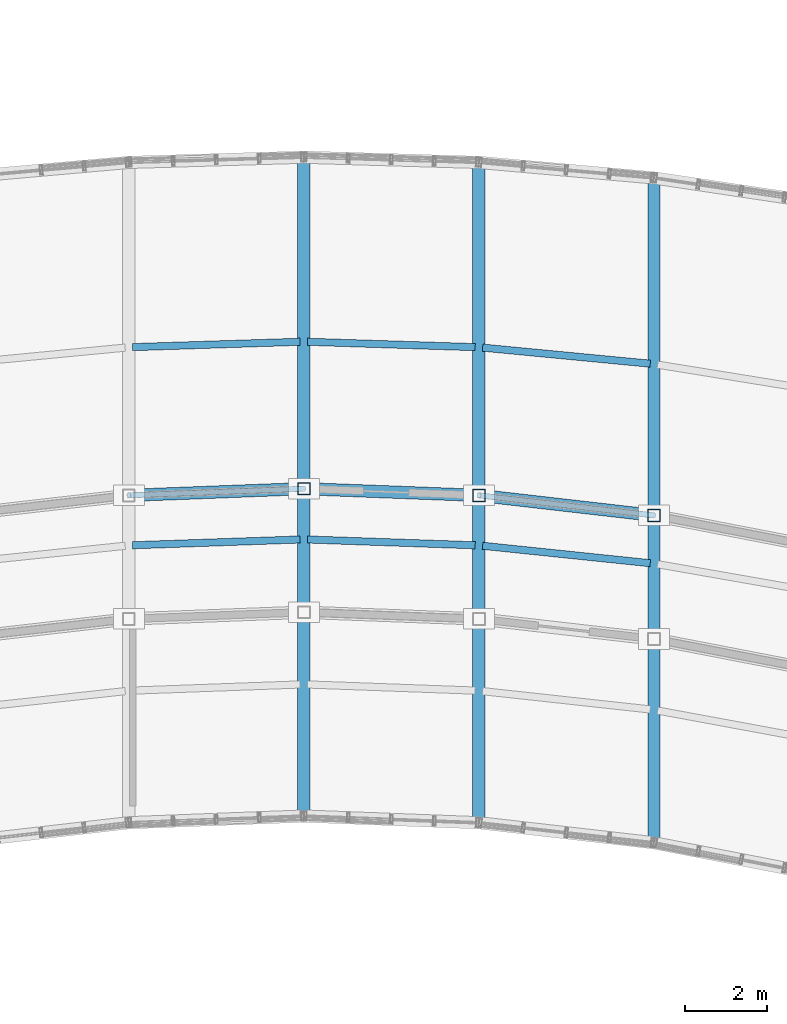
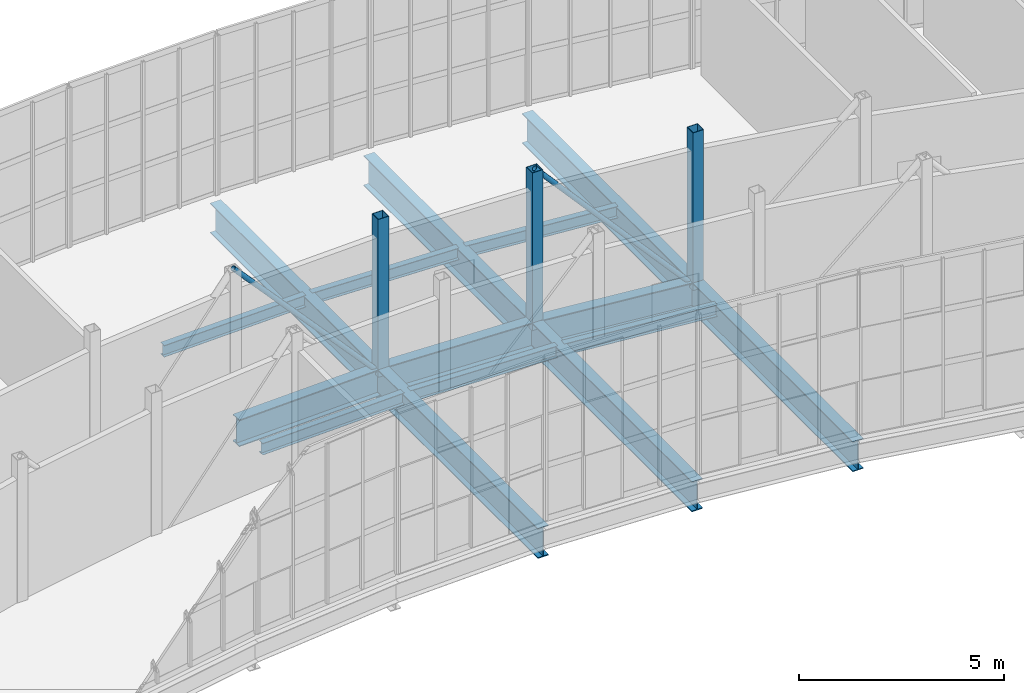
# One storey, part 26 of 66: 12 beams, 5 members.
"""IFC4 building model written with IfcOpenShell, lengths in metres."""

import ifcopenshell
import ifcopenshell.guid

model = None  # the IFC model being written
_history = None  # IfcOwnerHistory: only IFC2X3 demands one
_inside = {}  # id of a spatial element -> (the spatial element, [elements in it])
_under = {}  # id of a project, library or spatial element -> (it, [spatial elements below it])
_declared = {}  # id of a project -> (the project, [libraries it declares])
_typed = {}  # id of a type object -> (the type object, [elements of that type])
_made_of = {}  # id of a material, layer set ... -> (it, [elements and type objects made of it])


def new_model(schema):
    """Start an empty IFC model of exactly this schema.

    Asked for "IFC4X3", IfcOpenShell would pick the latest addendum, in which some entities
    have other attributes; the version numbers below select the first issue.
    IFC2X3 requires an IfcOwnerHistory on every rooted entity: one is made here for all.
    """
    global model, _history
    if schema == "IFC4X3":
        model = ifcopenshell.file(schema_version=(4, 3, 0, 0))
    else:
        model = ifcopenshell.file(schema=schema)
    _inside.clear()
    _under.clear()
    _declared.clear()
    _typed.clear()
    _made_of.clear()
    _history = None
    if model.schema == "IFC2X3":
        org = make("IfcOrganization", Name="unknown")
        user = make(
            "IfcPersonAndOrganization",
            ThePerson=make("IfcPerson", FamilyName="unknown"),
            TheOrganization=org,
        )
        app = make(
            "IfcApplication",
            ApplicationDeveloper=org,
            Version="unknown",
            ApplicationFullName="unknown",
            ApplicationIdentifier="unknown",
        )
        _history = make(
            "IfcOwnerHistory",
            OwningUser=user,
            OwningApplication=app,
            ChangeAction="ADDED",
            CreationDate=0,
        )
    return model


def make(cls, **values):
    """One entity of the class cls with the attributes given. An attribute that is None is left unset."""
    return model.create_entity(
        cls, **{name: value for name, value in values.items() if value is not None}
    )


def rooted(cls, **values):
    """An entity with a GlobalId (a new one), such as an element, a storey or a relation."""
    return make(cls, GlobalId=ifcopenshell.guid.new(), OwnerHistory=_history, **values)


def si_unit(unit_type, name, prefix=None):
    """IfcSIUnit, for example si_unit("LENGTHUNIT", "METRE", prefix="MILLI")."""
    return make("IfcSIUnit", UnitType=unit_type, Prefix=prefix, Name=name)


def assignment(units):
    """IfcUnitAssignment: the units of a project."""
    return None if units is None else make("IfcUnitAssignment", Units=units)


def point(xyz):
    """IfcCartesianPoint."""
    return None if xyz is None else make("IfcCartesianPoint", Coordinates=xyz)


def direction(xyz):
    """IfcDirection."""
    return None if xyz is None else make("IfcDirection", DirectionRatios=xyz)


def frame(location, z_axis=None, x_axis=None):
    """IfcAxis2Placement3D, a coordinate frame: its origin and axes. An axis left out is left unset."""
    return make(
        "IfcAxis2Placement3D",
        Location=point(location),
        Axis=direction(z_axis),
        RefDirection=direction(x_axis),
    )


def frame_2d(location, x_axis=None):
    """IfcAxis2Placement2D, a coordinate frame in the plane: its origin and x axis."""
    return make(
        "IfcAxis2Placement2D", Location=point(location), RefDirection=direction(x_axis)
    )


def origin():
    """The frame at (0, 0, 0) with its axes left unset."""
    return frame((0.0, 0.0, 0.0))


def origin_2d():
    """The frame at (0, 0) in the plane with its x axis left unset."""
    return frame_2d((0.0, 0.0))


def place(relative_to, where):
    """IfcLocalPlacement: puts the frame where relative to a parent placement (None: the world)."""
    return make(
        "IfcLocalPlacement", PlacementRelTo=relative_to, RelativePlacement=where
    )


def context(
    kind, dimensions, precision=None, world=None, true_north=None, identifier=None
):
    """IfcGeometricRepresentationContext, for example the 3D "Model" context."""
    return make(
        "IfcGeometricRepresentationContext",
        ContextIdentifier=identifier,
        ContextType=kind,
        CoordinateSpaceDimension=dimensions,
        Precision=precision,
        WorldCoordinateSystem=world,
        TrueNorth=true_north,
    )


def subcontext(parent, identifier, kind, view, scale=None):
    """IfcGeometricRepresentationSubContext, for example "Body" below "Model"."""
    return make(
        "IfcGeometricRepresentationSubContext",
        ContextIdentifier=identifier,
        ContextType=kind,
        ParentContext=parent,
        TargetScale=scale,
        TargetView=view,
    )


def project(units=None, contexts=None):
    """IfcProject with its units and contexts."""
    return rooted(
        "IfcProject",
        Name="project",
        RepresentationContexts=contexts,
        UnitsInContext=assignment(units),
    )


def spatial(cls, under=None, at=None, **own):
    """A site, building, storey or space (cls), placed at a placement, below another one or the project."""
    s = rooted(cls, ObjectPlacement=at, **own)
    if under is not None:
        _under.setdefault(under.id(), (under, []))[1].append(s)
    return s


def profile(cls, at=None, kind="AREA", **sizes):
    """A parametric profile (cls). Its sizes go by their IFC names, for example OverallWidth=200.0."""
    return make(cls, ProfileType=kind, Position=at, **sizes)


def hollow_rectangle(**sizes):
    """IfcRectangleHollowProfileDef."""
    return profile("IfcRectangleHollowProfileDef", **sizes)


def hollow_circle(**sizes):
    """IfcCircleHollowProfileDef."""
    return profile("IfcCircleHollowProfileDef", **sizes)


def i_section(**sizes):
    """IfcIShapeProfileDef."""
    return profile("IfcIShapeProfileDef", **sizes)


def extrude(swept, where, along, depth):
    """IfcExtrudedAreaSolid: the profile swept, set in the frame where, extruded along a direction by depth."""
    return make(
        "IfcExtrudedAreaSolid",
        SweptArea=swept,
        Position=where,
        ExtrudedDirection=direction(along),
        Depth=depth,
    )


def shape(context_of_items, identifier, shape_type, items):
    """IfcShapeRepresentation: the items that make up one representation, for example the "Body"."""
    return make(
        "IfcShapeRepresentation",
        ContextOfItems=context_of_items,
        RepresentationIdentifier=identifier,
        RepresentationType=shape_type,
        Items=items,
    )


def material(Name=None, Category=None):
    """IfcMaterial."""
    return make("IfcMaterial", Name=Name, Category=Category)


def material_profile(
    of_material, cross_section, Name=None, Category=None, Priority=None
):
    """IfcMaterialProfile: a cross section and its material."""
    return make(
        "IfcMaterialProfile",
        Name=Name,
        Material=of_material,
        Profile=cross_section,
        Priority=Priority,
        Category=Category,
    )


def profile_set(profiles, Name=None, composite=None):
    """IfcMaterialProfileSet."""
    return make(
        "IfcMaterialProfileSet",
        Name=Name,
        MaterialProfiles=profiles,
        CompositeProfile=composite,
    )


def made_of(thing, what):
    """Note that an element or type object is made of a material, layer set ...; save() writes the relation."""
    if what is not None:
        _made_of.setdefault(what.id(), (what, []))[1].append(thing)
    return thing


def type_object(cls, material=None, **own):
    """A type object (cls), such as IfcWallType, which elements share."""
    return made_of(rooted(cls, **own), material)


def element(
    cls,
    number,
    at=None,
    inside=None,
    cuts=None,
    type_object=None,
    material=None,
    context=None,
    identifier="Body",
    shape_type=None,
    held_by="IfcProductDefinitionShape",
    body=None,
    shapes=None,
    **own,
):
    """One element of the class cls, such as IfcWall. Its Tag is "e" and its number.

    at: its placement. inside: the storey or other place that contains it. cuts: it is an
    opening in that element (IfcRelVoidsElement). A single representation is given by context,
    identifier, shape_type and body (its items); several are given by shapes. held_by: the class
    of the entity that holds the representations. save() writes the other relations.
    """
    e = rooted(cls, Tag="e%d" % number, ObjectPlacement=at, **own)
    if body is not None:
        shapes = [shape(context, identifier, shape_type, body)]
    if shapes is not None:
        e.Representation = make(held_by, Representations=shapes)
    if inside is not None:
        _inside.setdefault(inside.id(), (inside, []))[1].append(e)
    if cuts is not None:
        rooted(
            "IfcRelVoidsElement", RelatingBuildingElement=cuts, RelatedOpeningElement=e
        )
    if type_object is not None:
        _typed.setdefault(type_object.id(), (type_object, []))[1].append(e)
    return made_of(e, material)


def aggregate(whole, parts):
    """IfcRelAggregates: a whole, such as a stair, and the parts it consists of."""
    return rooted("IfcRelAggregates", RelatingObject=whole, RelatedObjects=parts)


def save(model, path):
    """Write the relations noted so far, then the file.

    IfcRelAggregates (storeys below a building ...), IfcRelContainedInSpatialStructure (elements
    in a storey), IfcRelDefinesByType, IfcRelAssociatesMaterial and IfcRelDeclares: one each for
    every whole, place, type object, material and project.
    """
    for whole, parts in _under.values():
        aggregate(whole, parts)
    for where, things in _inside.values():
        rooted(
            "IfcRelContainedInSpatialStructure",
            RelatedElements=things,
            RelatingStructure=where,
        )
    for kind, things in _typed.values():
        rooted("IfcRelDefinesByType", RelatedObjects=things, RelatingType=kind)
    for what, things in _made_of.values():
        rooted("IfcRelAssociatesMaterial", RelatedObjects=things, RelatingMaterial=what)
    for by, libraries in _declared.values():
        rooted("IfcRelDeclares", RelatingContext=by, RelatedDefinitions=libraries)
    model.write(path)


model = new_model("IFC4")

# Units and contexts
model_context = context("Model", 3, precision=1e-05, world=origin(), true_north=direction((0.0, 1.0)))
body_context = subcontext(model_context, "Body", "Model", "MODEL_VIEW")
ifc_project = project(units=[si_unit("LENGTHUNIT", "METRE"), si_unit("AREAUNIT", "SQUARE_METRE"), si_unit("VOLUMEUNIT", "CUBIC_METRE"), si_unit("PLANEANGLEUNIT", "RADIAN"), si_unit("MASSUNIT", "GRAM", prefix="KILO")], contexts=[model_context])

# Site, building, storey
site_placement = place(None, origin())
site = spatial("IfcSite", under=ifc_project, at=site_placement, CompositionType="ELEMENT")
building_placement = place(site_placement, origin())
building = spatial("IfcBuilding", under=site, at=building_placement, Name="Solvikara Media Centre", CompositionType="ELEMENT")
storey_placement = place(building_placement, frame((0.0, 0.0, 19.800048828125)))
storey = spatial("IfcBuildingStorey", under=building, at=storey_placement, Name="L04", CompositionType="ELEMENT", Elevation=19.800048828125)

# Beams
ifc_material = material(Name="Steel S355JR", Category="steel")
ifc_material_profile_1 = material_profile(ifc_material, i_section(OverallWidth=0.300048828125, OverallDepth=0.89990234375, WebThickness=0.01611328125, FlangeThickness=0.028076171875, at=origin_2d()), Name="WF 900x300x16x28")
ifc_profile_set_1 = profile_set([ifc_material_profile_1], Name="Steel S355JR")
beam_type_1 = type_object("IfcBeamType", Name="BM-15", PredefinedType="BEAM", material=ifc_profile_set_1)
beam_1_placement = place(storey_placement, frame((102.0, 25.467041015625, -0.672119140625), z_axis=(0.0, 1.0, 0.0), x_axis=(-1.0, 0.0, 0.0)))
element("IfcBeam", 1, at=beam_1_placement, inside=storey, type_object=beam_type_1, Name="BG-L04-NS-06", PredefinedType="BEAM", context=body_context, shape_type="SweptSolid", body=[
    extrude(i_section(OverallWidth=0.300048828125, OverallDepth=0.89990234375, WebThickness=0.01611328125, FlangeThickness=0.028076171875, at=origin_2d()), origin(), (0.0, 0.0, 1.0), 16.0),
])
beam_2_placement = place(storey_placement, frame((106.25, 25.304931640625, -0.672119140625), z_axis=(0.0, 1.0, 0.0), x_axis=(-1.0, 0.0, 0.0)))
element("IfcBeam", 2, at=beam_2_placement, inside=storey, type_object=beam_type_1, Name="BG-L04-NS-07", PredefinedType="BEAM", context=body_context, shape_type="SweptSolid", body=[
    extrude(i_section(OverallWidth=0.300048828125, OverallDepth=0.89990234375, WebThickness=0.01611328125, FlangeThickness=0.028076171875, at=origin_2d()), origin(), (0.0, 0.0, 1.0), 16.0361328125),
])
beam_3_placement = place(storey_placement, frame((110.5, 24.818115234375, -0.672119140625), z_axis=(0.0, 1.0, 0.0), x_axis=(-1.0, 0.0, 0.0)))
element("IfcBeam", 3, at=beam_3_placement, inside=storey, type_object=beam_type_1, Name="BG-L04-NS-08", PredefinedType="BEAM", context=body_context, shape_type="SweptSolid", body=[
    extrude(i_section(OverallWidth=0.300048828125, OverallDepth=0.89990234375, WebThickness=0.01611328125, FlangeThickness=0.028076171875, at=origin_2d()), origin(), (0.0, 0.0, 1.0), 16.14599609375),
])
ifc_material_profile_2 = material_profile(ifc_material, i_section(OverallWidth=0.300048828125, OverallDepth=0.800048828125, WebThickness=0.013916015625, FlangeThickness=0.02587890625, at=origin_2d()), Name="WF 800x300x14x26")
ifc_profile_set_2 = profile_set([ifc_material_profile_2], Name="Steel S355JR")
beam_type_2 = type_object("IfcBeamType", Name="BM-16", PredefinedType="BEAM", material=ifc_profile_set_2)
for number, where, z_axis, x_axis, name in (
    (4, (97.840087890625, 33.258056640625, -0.6220703125), (0.999266124753, 0.038304202383, 0.0), (-0.038304202383, 0.999266124753, 0.0), "B-L04-SPNN-05"),
    (5, (102.090087890625, 33.4140625, -0.6220703125), (0.999266124753, -0.038304202383, 0.0), (0.038304202383, 0.999266124753, 0.0), "B-L04-SPNN-06"),
):
    element("IfcBeam", number, at=place(storey_placement, frame(where, z_axis=z_axis, x_axis=x_axis)), inside=storey, type_object=beam_type_2, Name=name, PredefinedType="BEAM", context=body_context, shape_type="SweptSolid", body=[
        extrude(i_section(OverallWidth=0.300048828125, OverallDepth=0.800048828125, WebThickness=0.013916015625, FlangeThickness=0.02587890625, at=origin_2d()), origin(), (0.0, 0.0, 1.0), 4.07275390625),
    ])
beam_4_placement = place(storey_placement, frame((106.339111328125, 33.2451171875, -0.6220703125), z_axis=(0.993485932274, -0.113954826025, 0.0), x_axis=(0.113954826025, 0.993485932274, 0.0)))
element("IfcBeam", 6, at=beam_4_placement, inside=storey, type_object=beam_type_2, Name="B-L04-SPNN-07", PredefinedType="BEAM", context=body_context, shape_type="SweptSolid", body=[
    extrude(i_section(OverallWidth=0.300048828125, OverallDepth=0.800048828125, WebThickness=0.013916015625, FlangeThickness=0.02587890625, at=origin_2d()), origin(), (0.0, 0.0, 1.0), 4.098388671875),
])
ifc_material_profile_3 = material_profile(ifc_material, i_section(OverallWidth=0.175048828125, OverallDepth=0.35009765625, WebThickness=0.007080078125, FlangeThickness=0.010986328125, at=origin_2d()), Name="WF 350x175x7x11")
ifc_profile_set_3 = profile_set([ifc_material_profile_3], Name="Steel S355JR")
beam_type_3 = type_object("IfcBeamType", Name="BM-22", PredefinedType="JOIST", material=ifc_profile_set_3)
beam_5_placement = place(storey_placement, frame((97.840087890625, 32.04296875, -0.39697265625), z_axis=(0.999399430727, 0.034652241809, 0.0), x_axis=(-0.034652241809, 0.999399430727, 0.0)))
element("IfcBeam", 7, at=beam_5_placement, inside=storey, type_object=beam_type_3, Name="BJ-L04-05-42", PredefinedType="JOIST", context=body_context, shape_type="SweptSolid", body=[
    extrude(i_section(OverallWidth=0.175048828125, OverallDepth=0.35009765625, WebThickness=0.007080078125, FlangeThickness=0.010986328125, at=origin_2d()), origin(), (0.0, 0.0, 1.0), 4.072265625),
])
beam_6_placement = place(storey_placement, frame((97.840087890625, 36.85400390625, -0.39697265625), z_axis=(0.999491149174, 0.031897378006, 0.0), x_axis=(-0.031897378006, 0.999491149174, 0.0)))
element("IfcBeam", 8, at=beam_6_placement, inside=storey, type_object=beam_type_3, Name="BJ-L04-05-72", PredefinedType="JOIST", context=body_context, shape_type="SweptSolid", body=[
    extrude(i_section(OverallWidth=0.175048828125, OverallDepth=0.35009765625, WebThickness=0.007080078125, FlangeThickness=0.010986328125, at=origin_2d()), origin(), (0.0, 0.0, 1.0), 4.07177734375),
])
beam_7_placement = place(storey_placement, frame((102.090087890625, 32.18408203125, -0.39697265625), z_axis=(0.999399430727, -0.034652241809, 0.0), x_axis=(0.034652241809, 0.999399430727, 0.0)))
element("IfcBeam", 9, at=beam_7_placement, inside=storey, type_object=beam_type_3, Name="BJ-L04-06-42", PredefinedType="JOIST", context=body_context, shape_type="SweptSolid", body=[
    extrude(i_section(OverallWidth=0.175048828125, OverallDepth=0.35009765625, WebThickness=0.007080078125, FlangeThickness=0.010986328125, at=origin_2d()), origin(), (0.0, 0.0, 1.0), 4.072265625),
])
beam_8_placement = place(storey_placement, frame((102.090087890625, 36.98388671875, -0.39697265625), z_axis=(0.999491149174, -0.031897378006, 0.0), x_axis=(0.031897378006, 0.999491149174, 0.0)))
element("IfcBeam", 10, at=beam_8_placement, inside=storey, type_object=beam_type_3, Name="BJ-L04-06-72", PredefinedType="JOIST", context=body_context, shape_type="SweptSolid", body=[
    extrude(i_section(OverallWidth=0.175048828125, OverallDepth=0.35009765625, WebThickness=0.007080078125, FlangeThickness=0.010986328125, at=origin_2d()), origin(), (0.0, 0.0, 1.0), 4.07177734375),
])
beam_9_placement = place(storey_placement, frame((106.340087890625, 32.031005859375, -0.39697265625), z_axis=(0.99463965164, -0.103401950587, 0.0), x_axis=(0.103401950587, 0.99463965164, 0.0)))
element("IfcBeam", 11, at=beam_9_placement, inside=storey, type_object=beam_type_3, Name="BJ-L04-07-42", PredefinedType="JOIST", context=body_context, shape_type="SweptSolid", body=[
    extrude(i_section(OverallWidth=0.175048828125, OverallDepth=0.35009765625, WebThickness=0.007080078125, FlangeThickness=0.010986328125, at=origin_2d()), origin(), (0.0, 0.0, 1.0), 4.091796875),
])
beam_10_placement = place(storey_placement, frame((106.340087890625, 36.842041015625, -0.39697265625), z_axis=(0.995436776487, -0.095423393451, 0.0), x_axis=(0.095423393451, 0.995436776487, 0.0)))
element("IfcBeam", 12, at=beam_10_placement, inside=storey, type_object=beam_type_3, Name="BJ-L04-07-72", PredefinedType="JOIST", context=body_context, shape_type="SweptSolid", body=[
    extrude(i_section(OverallWidth=0.175048828125, OverallDepth=0.35009765625, WebThickness=0.007080078125, FlangeThickness=0.010986328125, at=origin_2d()), origin(), (0.0, 0.0, 1.0), 4.08837890625),
])

# Members
ifc_material_profile_4 = material_profile(ifc_material, hollow_circle(Radius=0.06982421875, WallThickness=0.00634765625, at=origin_2d()), Name="CHS 139.7x6.3")
ifc_profile_set_4 = profile_set([ifc_material_profile_4], Name="Steel S355JR")
member_type_1 = type_object("IfcMemberType", Name="MB-08", PredefinedType="BRACE", material=ifc_profile_set_4)
member_1_placement = place(storey_placement, frame((97.75, 33.2548828125, 4.25), z_axis=(0.67049113608, 0.025574799768, -0.741476611941), x_axis=(-0.038115664855, 0.999273334025, 0.0)))
element("IfcMember", 13, at=member_1_placement, inside=storey, type_object=member_type_1, Name="WTR-L04-N-DB05", PredefinedType="BRACE", context=body_context, shape_type="SweptSolid", body=[
    extrude(hollow_circle(Radius=0.06982421875, WallThickness=0.00634765625, at=origin_2d()), origin(), (0.0, 0.0, 1.0), 6.338623046875),
])
member_2_placement = place(storey_placement, frame((106.25, 33.2548828125, 4.25), z_axis=(0.668739862993, -0.076600832193, -0.739539930059), x_axis=(0.113800903571, 0.993503575407, 0.0)))
element("IfcMember", 14, at=member_2_placement, inside=storey, type_object=member_type_1, Name="WTR-L04-N-DB07", PredefinedType="BRACE", context=body_context, shape_type="SweptSolid", body=[
    extrude(hollow_circle(Radius=0.06982421875, WallThickness=0.00634765625, at=origin_2d()), origin(), (0.0, 0.0, 1.0), 6.355224609375),
])
ifc_material_profile_5 = material_profile(ifc_material, hollow_rectangle(XDim=0.300048828125, YDim=0.300048828125, WallThickness=0.012451171875, at=origin_2d()), Name="RHS 300x300x12.5")
ifc_profile_set_5 = profile_set([ifc_material_profile_5], Name="Steel S355JR")
member_type_2 = type_object("IfcMemberType", Name="MB-11", PredefinedType="CHORD", material=ifc_profile_set_5)
for number, where, z_axis, x_axis, name in (
    (15, (102.0, 33.4169921875, -0.449951171875), (0.0, 0.0, 1.0), (1.0, 0.0, 0.0), "WTR-L04-N-V06"),
    (16, (106.25, 33.2548828125, -0.449951171875), (0.0, 0.0, 1.0), (1.0, 0.0, 0.0), "WTR-L04-N-V07"),
    (17, (110.5, 32.76806640625, -0.449951171875), (0.0, 0.0, 1.0), (1.0, 0.0, 0.0), "WTR-L04-N-V08"),
):
    element("IfcMember", number, at=place(storey_placement, frame(where, z_axis=z_axis, x_axis=x_axis)), inside=storey, type_object=member_type_2, Name=name, PredefinedType="CHORD", context=body_context, shape_type="SweptSolid", body=[
        extrude(hollow_rectangle(XDim=0.300048828125, YDim=0.300048828125, WallThickness=0.012451171875, at=origin_2d()), origin(), (0.0, 0.0, 1.0), 4.699951171875),
    ])

save(model, "model.ifc")
